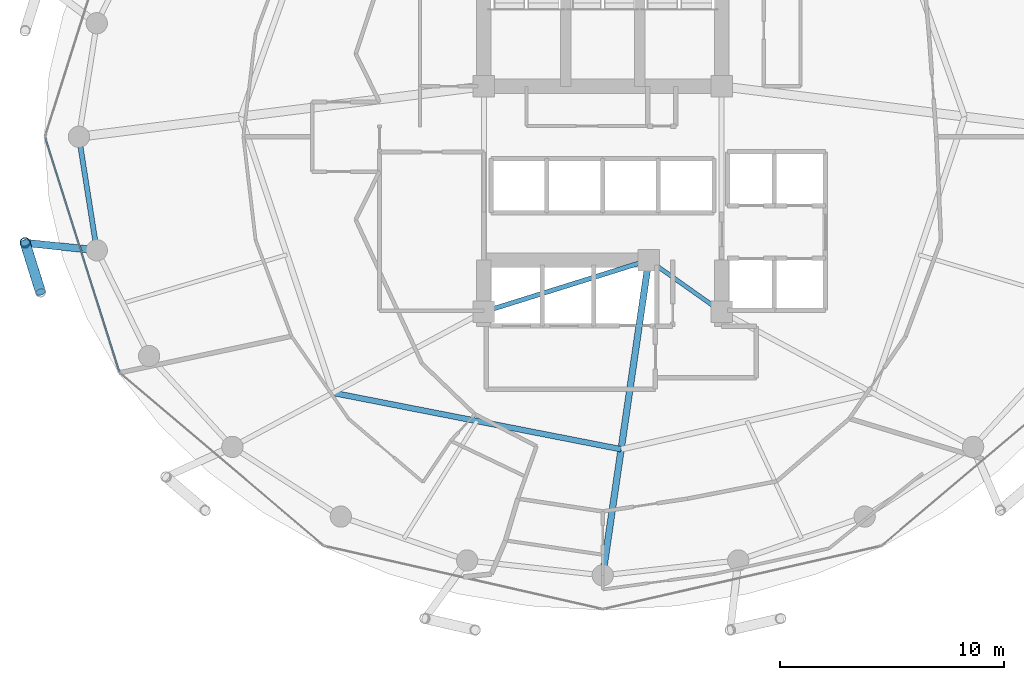
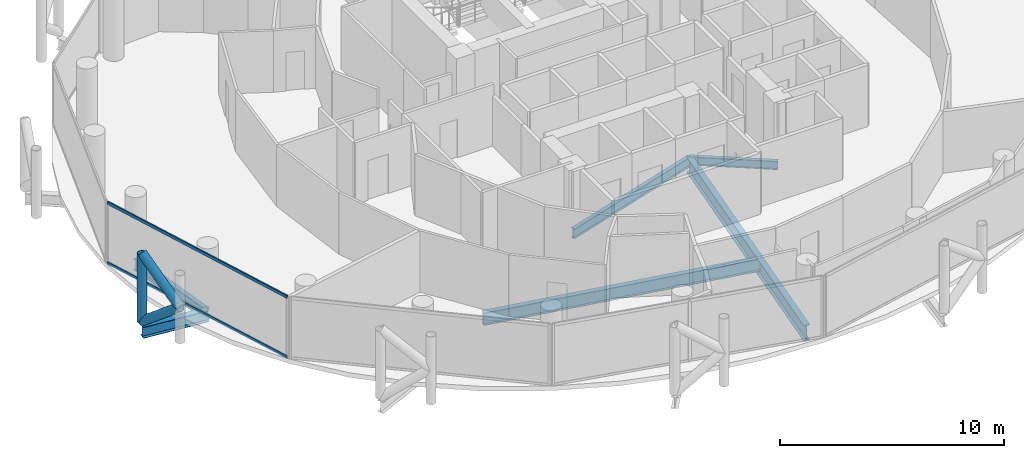
# One storey, part 5 of 26: 6 beams, 5 members, 1 element without a shape of its own.
"""IFC4 building model written with IfcOpenShell, lengths in metres."""

from ifc_helpers import new_model, si_unit, direction, frame, origin, origin_2d, place, context, subcontext, project, spatial, hollow_rectangle, hollow_circle, i_section, extrude, material, layer, layer_set, material_profile, profile_set, type_object, element, aggregate, save


model = new_model("IFC4")

# Units and contexts
model_context = context("Model", 3, precision=1e-05, world=origin(), true_north=direction((0.0, 1.0)))
body_context = subcontext(model_context, "Body", "Model", "MODEL_VIEW")
ifc_project = project(units=[si_unit("LENGTHUNIT", "METRE"), si_unit("AREAUNIT", "SQUARE_METRE"), si_unit("VOLUMEUNIT", "CUBIC_METRE"), si_unit("PLANEANGLEUNIT", "RADIAN"), si_unit("MASSUNIT", "GRAM", prefix="KILO")], contexts=[model_context])

# Site, building, storey
site_placement = place(None, origin())
site = spatial("IfcSite", under=ifc_project, at=site_placement, CompositionType="ELEMENT")
building_placement = place(site_placement, origin())
building = spatial("IfcBuilding", under=site, at=building_placement, Name="Nuhasar Tower", CompositionType="ELEMENT")
storey_placement = place(building_placement, frame((0.0, 0.0, 192.25)))
storey = spatial("IfcBuildingStorey", under=building, at=storey_placement, Name="L47", CompositionType="ELEMENT", Elevation=192.25)

# Beams
ifc_material_1 = material(Name="Steel S355", Category="steel")
ifc_material_profile_1 = material_profile(ifc_material_1, i_section(OverallWidth=0.25390625, OverallDepth=0.68408203125, WebThickness=0.012451171875, FlangeThickness=0.018798828125, at=origin_2d()), Name="W27X94")
ifc_profile_set_1 = profile_set([ifc_material_profile_1], Name="Steel S355")
beam_type_1 = type_object("IfcBeamType", Name="BM-INRING-W27X94", PredefinedType="BEAM", material=ifc_profile_set_1)
beam_1_placement = place(storey_placement, frame((26.972900390625, 15.385986328125, -0.592041015625), z_axis=(0.981359637088, -0.192180286956, 0.0), x_axis=(0.192180286956, 0.981359637088, 0.0)))
element("IfcBeam", 1, at=beam_1_placement, inside=storey, type_object=beam_type_1, Name="L47 Inner Header Beam 01", PredefinedType="BEAM", context=body_context, shape_type="SweptSolid", body=[
    extrude(i_section(OverallWidth=0.25390625, OverallDepth=0.68408203125, WebThickness=0.012451171875, FlangeThickness=0.018798828125, at=origin_2d()), origin(), (0.0, 0.0, 1.0), 13.09130859375),
])
ifc_material_profile_2 = material_profile(ifc_material_1, i_section(OverallWidth=0.2919921875, OverallDepth=0.85888671875, WebThickness=0.01708984375, FlangeThickness=0.031005859375, at=origin_2d()), Name="W33X169")
ifc_profile_set_2 = profile_set([ifc_material_profile_2], Name="Steel S355")
beam_type_2 = type_object("IfcBeamType", Name="BM-POD-W33X169", PredefinedType="BEAM", material=ifc_profile_set_2)
beam_2_placement = place(storey_placement, frame((41.050048828125, 21.300048828125, -0.678955078125), z_axis=(-0.144381604017, -0.989522082837, 0.0), x_axis=(0.989522082837, -0.144381604017, 0.0)))
element("IfcBeam", 2, at=beam_2_placement, inside=storey, type_object=beam_type_2, Name="L47 Radial Floor Girder 02", PredefinedType="BEAM", context=body_context, shape_type="SweptSolid", body=[
    extrude(i_section(OverallWidth=0.2919921875, OverallDepth=0.85888671875, WebThickness=0.01708984375, FlangeThickness=0.031005859375, at=origin_2d()), origin(), (0.0, 0.0, 1.0), 14.19873046875),
])
ifc_material_profile_3 = material_profile(ifc_material_1, i_section(OverallWidth=0.18994140625, OverallDepth=0.45703125, WebThickness=0.009033203125, FlangeThickness=0.014404296875, at=origin_2d()), Name="W18X50")
ifc_profile_set_3 = profile_set([ifc_material_profile_3], Name="Steel S355")
beam_type_3 = type_object("IfcBeamType", Name="BM-RAD-W18X50", PredefinedType="BEAM", material=ifc_profile_set_3)
beam_3_placement = place(storey_placement, frame((41.050048828125, 21.300048828125, -0.47802734375), z_axis=(0.816265428953, -0.577677028708, 0.0), x_axis=(0.577677028708, 0.816265428953, 0.0)))
element("IfcBeam", 3, at=beam_3_placement, inside=storey, type_object=beam_type_3, Name="L47 Core Ring Girder 2", PredefinedType="BEAM", context=body_context, shape_type="SweptSolid", body=[
    extrude(i_section(OverallWidth=0.18994140625, OverallDepth=0.45703125, WebThickness=0.009033203125, FlangeThickness=0.014404296875, at=origin_2d()), origin(), (0.0, 0.0, 1.0), 3.9814453125),
])
ifc_material_profile_4 = material_profile(ifc_material_1, i_section(OverallWidth=0.208984375, OverallDepth=0.532958984375, WebThickness=0.01025390625, FlangeThickness=0.015625, at=origin_2d()), Name="W21X62")
ifc_profile_set_4 = profile_set([ifc_material_profile_4], Name="Steel S355")
beam_type_4 = type_object("IfcBeamType", Name="BM-RAD-W21X62", PredefinedType="BEAM", material=ifc_profile_set_4)
beam_4_placement = place(storey_placement, frame((33.699951171875, 19.0, -0.51708984375), z_axis=(0.954363709454, 0.298646798205, 0.0), x_axis=(-0.298646798205, 0.954363709454, 0.0)))
element("IfcBeam", 4, at=beam_4_placement, inside=storey, type_object=beam_type_4, Name="L47 Core Ring Girder 1", PredefinedType="BEAM", context=body_context, shape_type="SweptSolid", body=[
    extrude(i_section(OverallWidth=0.208984375, OverallDepth=0.532958984375, WebThickness=0.01025390625, FlangeThickness=0.015625, at=origin_2d()), origin(), (0.0, 0.0, 1.0), 7.70166015625),
])
ifc_material_profile_5 = material_profile(ifc_material_1, i_section(OverallWidth=0.22998046875, OverallDepth=0.616943359375, WebThickness=0.01318359375, FlangeThickness=0.022216796875, at=origin_2d()), Name="W24X94")
ifc_profile_set_5 = profile_set([ifc_material_profile_5], Name="Steel S355")
beam_type_5 = type_object("IfcBeamType", Name="BM-RING-W24X94", PredefinedType="SPANDREL", material=ifc_profile_set_5)
beam_5_placement = place(storey_placement, frame((15.64990234375, 26.800048828125, -0.55908203125), z_axis=(0.155426543608, -0.987847452566, 0.0), x_axis=(0.987847452566, 0.155426543608, 0.0)))
element("IfcBeam", 5, at=beam_5_placement, inside=storey, type_object=beam_type_5, Name="L47 Perimeter Ring Spandrel 13", PredefinedType="SPANDREL", context=body_context, shape_type="SweptSolid", body=[
    extrude(i_section(OverallWidth=0.22998046875, OverallDepth=0.616943359375, WebThickness=0.01318359375, FlangeThickness=0.022216796875, at=origin_2d()), origin(), (0.0, 0.0, 1.0), 5.122314453125),
])
ifc_material_profile_6 = material_profile(ifc_material_1, i_section(OverallWidth=0.323974609375, OverallDepth=0.611083984375, WebThickness=0.0126953125, FlangeThickness=0.01904296875, at=origin_2d()), Name="W24X104")
ifc_profile_set_6 = profile_set([ifc_material_profile_6], Name="Steel S355")
beam_type_6 = type_object("IfcBeamType", Name="BM-TIE-W24X104", PredefinedType="BEAM", material=ifc_profile_set_6)
beam_6_placement = place(storey_placement, frame((16.446044921875, 21.739990234375, -0.554931640625), z_axis=(-0.994577694483, 0.103996200111, 0.0), x_axis=(-0.103996200111, -0.994577694483, 0.0)))
element("IfcBeam", 6, at=beam_6_placement, inside=storey, type_object=beam_type_6, Name="L47 Exoskeleton Node Tie Beam 07", PredefinedType="BEAM", context=body_context, shape_type="SweptSolid", body=[
    extrude(i_section(OverallWidth=0.323974609375, OverallDepth=0.611083984375, WebThickness=0.0126953125, FlangeThickness=0.01904296875, at=origin_2d()), origin(), (0.0, 0.0, 1.0), 3.21142578125),
])

# Curtain wall, members
ifc_material_2 = material(Name="Aluminium 6063-T6", Category="aluminium")
ifc_layer = layer(ifc_material_2, 0.199951171875)
ifc_layer_set = layer_set([ifc_layer], Name="Aluminium 6063-T6")
curtain_wall_type = type_object("IfcCurtainWallType", Name="CW-Z2-HTL", PredefinedType="NOTDEFINED", material=ifc_layer_set)
curtain_wall_placement = place(storey_placement, origin())
curtain_wall = element("IfcCurtainWall", 7, at=curtain_wall_placement, inside=storey, type_object=curtain_wall_type, Name="L47 Unitised Curtain Wall 07", PredefinedType="NOTDEFINED")
ifc_material_profile_7 = material_profile(ifc_material_2, hollow_rectangle(XDim=0.070068359375, YDim=0.159912109375, WallThickness=0.00439453125, at=origin_2d()), Name="CWT-3")
ifc_profile_set_7 = profile_set([ifc_material_profile_7], Name="Aluminium 6063-T6")
member_type_1 = type_object("IfcMemberType", Name="CW-TRN-S3", PredefinedType="USERDEFINED", material=ifc_profile_set_7)
member_1_placement = place(storey_placement, frame((14.1611328125, 26.733154296875, 0.034912109375), z_axis=(0.301608163352, -0.953431967053, 0.0), x_axis=(0.953431967053, 0.301608163352, 0.0)))
member_1 = element("IfcMember", 8, at=member_1_placement, type_object=member_type_1, Name="CW-Z2 transom 1.1", ObjectType="TRANSOM", PredefinedType="USERDEFINED", context=body_context, shape_type="SweptSolid", body=[
    extrude(hollow_rectangle(XDim=0.070068359375, YDim=0.159912109375, WallThickness=0.00439453125, at=origin_2d()), origin(), (0.0, 0.0, 1.0), 10.904296875),
])
member_2_placement = place(storey_placement, frame((14.1611328125, 26.733154296875, 3.31494140625), z_axis=(0.301608163352, -0.953431967053, 0.0), x_axis=(0.953431967053, 0.301608163352, 0.0)))
member_2 = element("IfcMember", 9, at=member_2_placement, type_object=member_type_1, Name="CW-Z2 transom 1.2", ObjectType="TRANSOM", PredefinedType="USERDEFINED", context=body_context, shape_type="SweptSolid", body=[
    extrude(hollow_rectangle(XDim=0.070068359375, YDim=0.159912109375, WallThickness=0.00439453125, at=origin_2d()), origin(), (0.0, 0.0, 1.0), 10.904296875),
])
aggregate(curtain_wall, [member_1, member_2])

# Members
ifc_material_3 = material(Name="Steel S460", Category="steel")
ifc_material_profile_8 = material_profile(ifc_material_3, hollow_circle(Radius=0.228515625, WallThickness=0.022216796875, at=origin_2d()), Name="HSS457X22.2")
ifc_profile_set_8 = profile_set([ifc_material_profile_8], Name="Steel S460")
member_type_2 = type_object("IfcMemberType", Name="EXO-BRONZE-457", PredefinedType="BRACE", material=ifc_profile_set_8)
member_3_placement = place(storey_placement, frame((13.251953125, 22.073974609375, 0.0), z_axis=(0.0, 0.0, 1.0), x_axis=(1.0, 0.0, 0.0)))
element("IfcMember", 10, at=member_3_placement, inside=storey, type_object=member_type_2, Name="L47 Exoskeleton Chord Column EC-07A", PredefinedType="BRACE", context=body_context, shape_type="SweptSolid", body=[
    extrude(hollow_circle(Radius=0.228515625, WallThickness=0.022216796875, at=origin_2d()), origin(), (0.0, 0.0, 1.0), 3.699951171875),
])
member_4_placement = place(storey_placement, frame((13.251953125, 22.073974609375, 0.0), z_axis=(0.233055548538, -0.743577869731, 0.626719285599), x_axis=(0.954228474306, 0.29907861646, 0.0)))
element("IfcMember", 11, at=member_4_placement, inside=storey, type_object=member_type_2, Name="L47 Bronze Diagrid Brace W1-07", PredefinedType="BRACE", context=body_context, shape_type="SweptSolid", body=[
    extrude(hollow_circle(Radius=0.228515625, WallThickness=0.022216796875, at=origin_2d()), origin(), (0.0, 0.0, 1.0), 2.9521484375),
])
member_5_placement = place(storey_placement, frame((13.93994140625, 19.87890625, 1.85009765625), z_axis=(-0.233067628236, 0.74361641074, 0.626669062861), x_axis=(-0.954228474306, -0.29907861646, 0.0)))
element("IfcMember", 12, at=member_5_placement, inside=storey, type_object=member_type_2, Name="L47 Bronze Diagrid Brace W2-07", PredefinedType="BRACE", context=body_context, shape_type="SweptSolid", body=[
    extrude(hollow_circle(Radius=0.228515625, WallThickness=0.022216796875, at=origin_2d()), origin(), (0.0, 0.0, 1.0), 2.951904296875),
])

save(model, "model.ifc")
